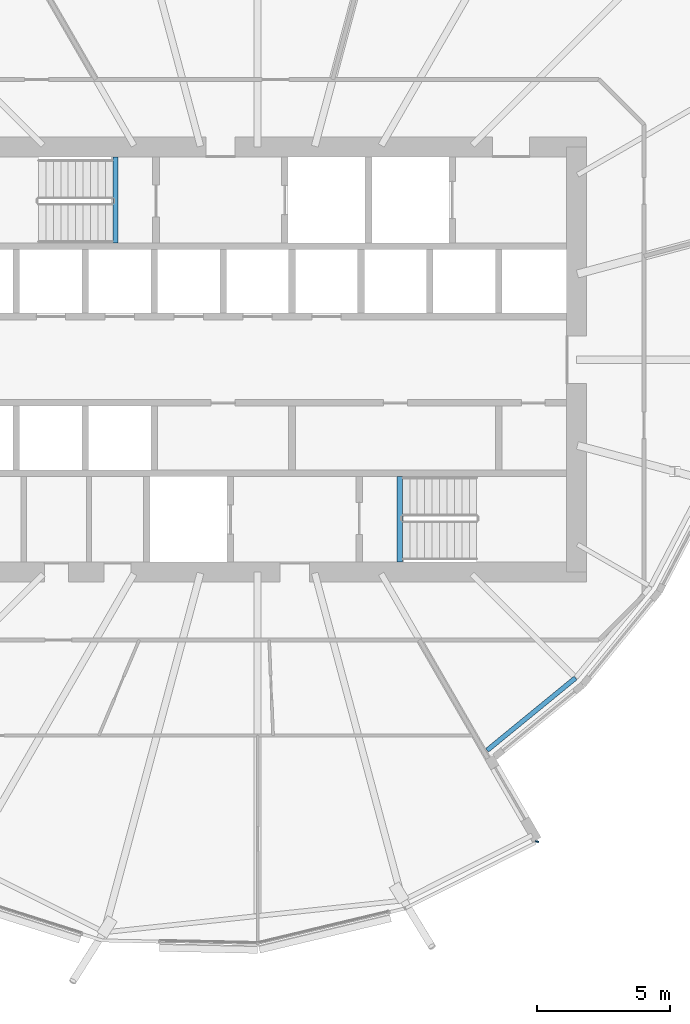
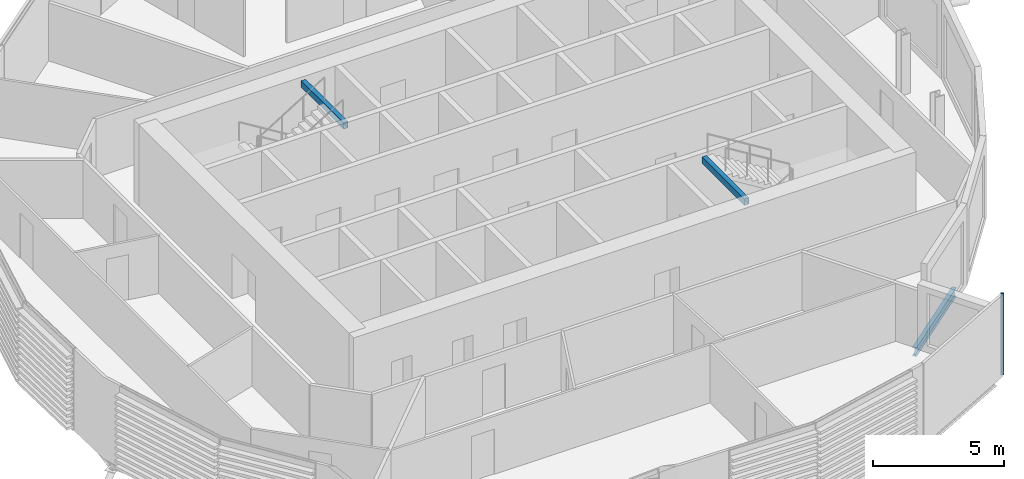
# One storey, part 15 of 38: 3 beams, 1 member, 1 element without a shape of its own.
"""IFC4 building model written with IfcOpenShell, lengths in metres."""

from ifc_helpers import new_model, si_unit, direction, frame, origin, origin_2d, place, context, subcontext, project, spatial, rectangle, hollow_rectangle, i_section, extrude, material, material_profile, profile_set, type_object, element, aggregate, save


model = new_model("IFC4")

# Units and contexts
model_context = context("Model", 3, precision=1e-05, world=origin(), true_north=direction((0.0, 1.0)))
body_context = subcontext(model_context, "Body", "Model", "MODEL_VIEW")
ifc_project = project(units=[si_unit("LENGTHUNIT", "METRE"), si_unit("AREAUNIT", "SQUARE_METRE"), si_unit("VOLUMEUNIT", "CUBIC_METRE"), si_unit("PLANEANGLEUNIT", "RADIAN"), si_unit("MASSUNIT", "GRAM", prefix="KILO")], contexts=[model_context])

# Site, building, storey
site_placement = place(None, origin())
site = spatial("IfcSite", under=ifc_project, at=site_placement, CompositionType="ELEMENT")
building_placement = place(site_placement, origin())
building = spatial("IfcBuilding", under=site, at=building_placement, Name="Rimbun Link Towers", CompositionType="ELEMENT")
storey_placement = place(building_placement, frame((0.0, 0.0, 108.199951171875)))
storey = spatial("IfcBuildingStorey", under=building, at=storey_placement, Name="L26", CompositionType="ELEMENT", Elevation=108.199951171875)

# Curtain wall, member
ifc_material_1 = material(Name="Aluminium 6063-T6 and low-iron glass", Category="aluminium")
curtain_wall_type = type_object("IfcCurtainWallType", Name="CW1-Z2 unitised vision wall (zone 2)", PredefinedType="NOTDEFINED", material=ifc_material_1)
curtain_wall_placement = place(storey_placement, origin())
curtain_wall = element("IfcCurtainWall", 1, at=curtain_wall_placement, inside=storey, type_object=curtain_wall_type, Name="CW1 L26 T2", PredefinedType="NOTDEFINED")
ifc_material_2 = material(Name="Aluminium 6063-T6", Category="aluminium")
ifc_material_profile_1 = material_profile(ifc_material_2, rectangle(XDim=0.1201171875, YDim=0.06005859375, at=origin_2d()), Name="MULLION 60X120")
ifc_profile_set_1 = profile_set([ifc_material_profile_1], Name="Aluminium 6063-T6")
member_type = type_object("IfcMemberType", Name="CW1 mullion 60X120", PredefinedType="MULLION", material=ifc_profile_set_1)
member_placement = place(storey_placement, frame((42.27294921875, -18.143798828125, 0.0), z_axis=(0.0, 0.0, 1.0), x_axis=(0.957987758678, -0.286809090204, 0.0)))
member = element("IfcMember", 2, at=member_placement, type_object=member_type, Name="CW1 mullion", PredefinedType="MULLION", context=body_context, shape_type="SweptSolid", body=[
    extrude(rectangle(XDim=0.1201171875, YDim=0.06005859375, at=origin_2d()), origin(), (0.0, 0.0, 1.0), 3.800048828125),
])
aggregate(curtain_wall, [member])

# Beams
ifc_material_3 = material(Name="Steel S355J2", Category="steel")
ifc_material_profile_2 = material_profile(ifc_material_3, hollow_rectangle(XDim=0.199951171875, YDim=0.300048828125, WallThickness=0.011962890625, at=origin_2d()), Name="BOX 300x200x12")
ifc_profile_set_2 = profile_set([ifc_material_profile_2], Name="Steel S355J2")
beam_type_1 = type_object("IfcBeamType", Name="Stair trimmer beam BOX 300x200x12", PredefinedType="BEAM", material=ifc_profile_set_2)
for number, where, z_axis, x_axis, name in (
    (3, (26.39990234375, 7.625, 3.489990234375), (0.0, -1.0, 0.0), (1.0, 0.0, 0.0), "L26 ST3 stair beam 1"),
    (4, (37.10009765625, -7.625, 3.489990234375), (0.0, 1.0, 0.0), (-1.0, 0.0, 0.0), "L26 ST4 stair beam 1"),
):
    element("IfcBeam", number, at=place(storey_placement, frame(where, z_axis=z_axis, x_axis=x_axis)), inside=storey, type_object=beam_type_1, Name=name, PredefinedType="BEAM", context=body_context, shape_type="SweptSolid", body=[
        extrude(hollow_rectangle(XDim=0.199951171875, YDim=0.300048828125, WallThickness=0.011962890625, at=origin_2d()), origin(), (0.0, 0.0, 1.0), 3.22509765625),
    ])
ifc_material_4 = material(Name="Steel S355J2", Category="steel")
ifc_material_profile_3 = material_profile(ifc_material_4, i_section(OverallWidth=0.177978515625, OverallDepth=0.406494140625, WebThickness=0.0078125, FlangeThickness=0.0126953125, at=origin_2d()), Name="UB 406x178x60")
ifc_profile_set_3 = profile_set([ifc_material_profile_3], Name="Steel S355J2")
beam_type_2 = type_object("IfcBeamType", Name="UB 406x178x60", PredefinedType="BEAM", material=ifc_profile_set_3)
beam_placement = place(storey_placement, frame((40.389892578125, -14.70654296875, -0.363037109375), z_axis=(0.773876366634, 0.633336694946, 0.0), x_axis=(-0.633336694946, 0.773876366634, 0.0)))
element("IfcBeam", 5, at=beam_placement, inside=storey, type_object=beam_type_2, Name="Edge beam T2 L26 17 recess", PredefinedType="BEAM", context=body_context, shape_type="SweptSolid", body=[
    extrude(i_section(OverallWidth=0.177978515625, OverallDepth=0.406494140625, WebThickness=0.0078125, FlangeThickness=0.0126953125, at=origin_2d()), origin(), (0.0, 0.0, 1.0), 4.30126953125),
])

save(model, "model.ifc")
